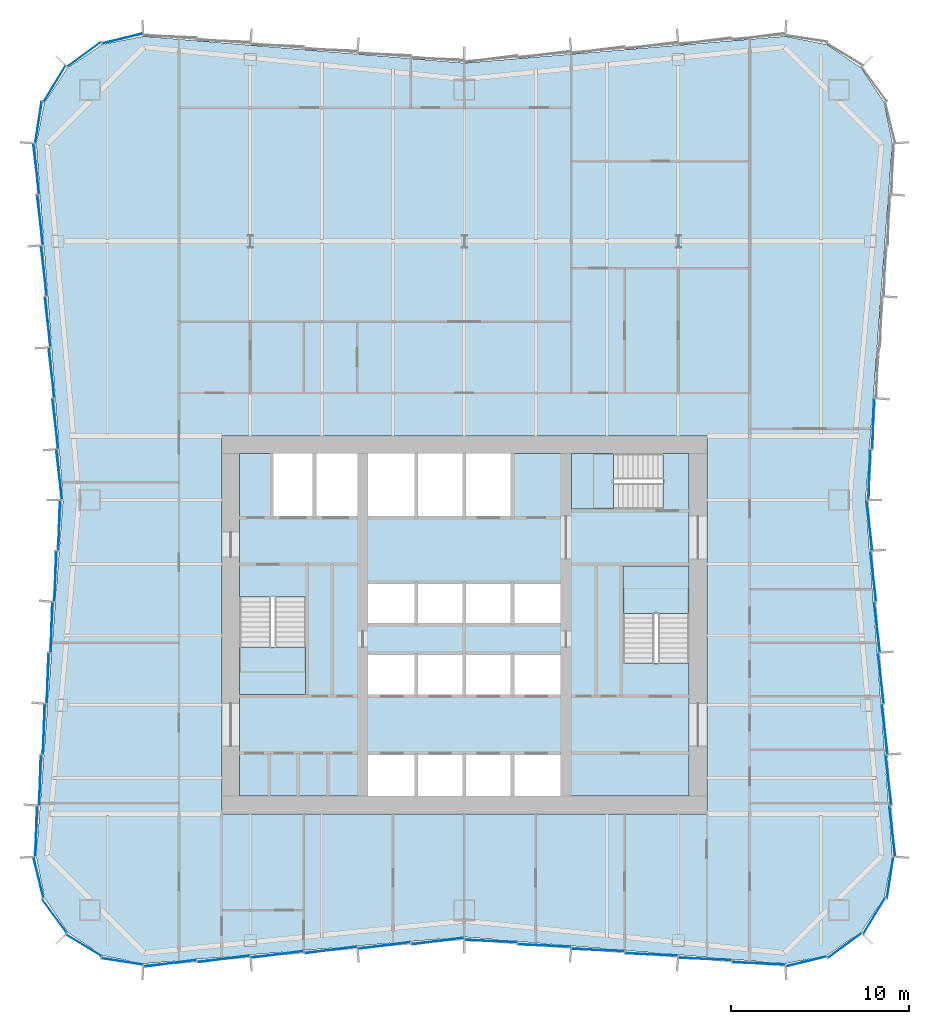
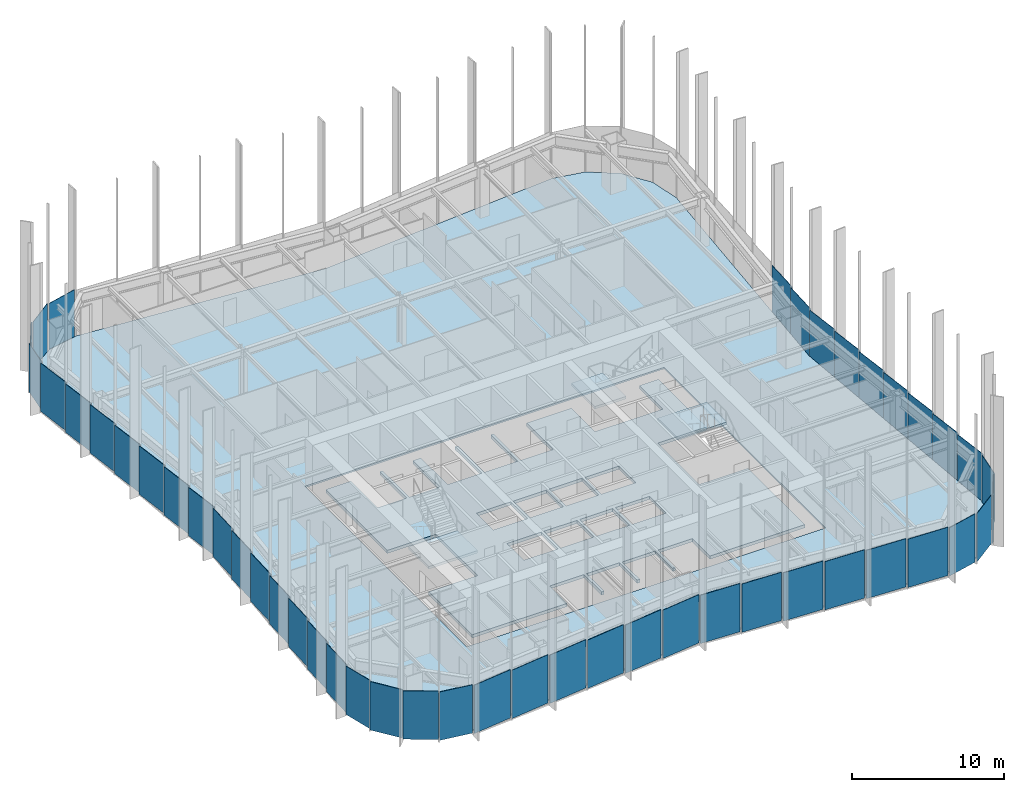
# One storey, part 8 of 14: 47 plates, 5 slabs, 9 elements without a shape of their own.
"""IFC4 building model written with IfcOpenShell, lengths in metres."""

from ifc_helpers import new_model, si_unit, direction, frame, origin, origin_2d, place, context, subcontext, project, spatial, polyline, rectangle, outline, extrude, material, layer, layer_set, type_object, element, aggregate, save


model = new_model("IFC4")

# Units and contexts
model_context = context("Model", 3, precision=1e-05, world=origin(), true_north=direction((0.0, 1.0)))
body_context = subcontext(model_context, "Body", "Model", "MODEL_VIEW")
ifc_project = project(units=[si_unit("LENGTHUNIT", "METRE"), si_unit("AREAUNIT", "SQUARE_METRE"), si_unit("VOLUMEUNIT", "CUBIC_METRE"), si_unit("PLANEANGLEUNIT", "RADIAN"), si_unit("MASSUNIT", "GRAM", prefix="KILO")], contexts=[model_context])

# Site, building, storey
site_placement = place(None, origin())
site = spatial("IfcSite", under=ifc_project, at=site_placement, CompositionType="ELEMENT")
building_placement = place(site_placement, origin())
building = spatial("IfcBuilding", under=site, at=building_placement, Name="Verdant Reach Tower", CompositionType="ELEMENT")
storey_placement = place(building_placement, frame((0.0, 0.0, 150.0)))
storey = spatial("IfcBuildingStorey", under=building, at=storey_placement, Name="L34", CompositionType="ELEMENT", Elevation=150.0)

# Stair, slab
ifc_material_1 = material(Name="Concrete C40/50", Category="concrete")
stair_type = type_object("IfcStairType", Name="CO-STAIR", PredefinedType="HALF_TURN_STAIR", material=ifc_material_1)
stair_1_placement = place(storey_placement, origin())
stair_1 = element("IfcStair", 1, at=stair_1_placement, inside=storey, type_object=stair_type, Name="L34 Exit stair 1", PredefinedType="HALF_TURN_STAIR")
ifc_layer_1 = layer(ifc_material_1, 0.199951171875)
ifc_layer_set_1 = layer_set([ifc_layer_1], Name="CO-STAIR-LANDING")
slab_type_1 = type_object("IfcSlabType", Name="CO-STAIR-LANDING", PredefinedType="LANDING", material=ifc_layer_set_1)
slab_1_placement = place(storey_placement, frame((0.0, 0.0, 1.800048828125)))
slab_1 = element("IfcSlab", 2, at=slab_1_placement, type_object=slab_type_1, Name="ST-1 landing 1", PredefinedType="LANDING", context=body_context, shape_type="SweptSolid", body=[
    extrude(outline(polyline([(-12.60009765625, 26.75), (-12.60009765625, 24.10009765625), (-8.89990234375, 24.10009765625), (-8.89990234375, 26.75), (-12.60009765625, 26.75)])), origin(), (0.0, 0.0, 1.0), 0.199951171875),
])
aggregate(stair_1, [slab_1])

stair_2_placement = place(storey_placement, origin())
stair_2 = element("IfcStair", 3, at=stair_2_placement, inside=storey, type_object=stair_type, Name="L34 Exit stair 2", PredefinedType="HALF_TURN_STAIR")
slab_2_placement = place(storey_placement, frame((0.0, 0.0, 1.800048828125)))
slab_2 = element("IfcSlab", 4, at=slab_2_placement, type_object=slab_type_1, Name="ST-2 landing 1", PredefinedType="LANDING", context=body_context, shape_type="SweptSolid", body=[
    extrude(outline(polyline([(12.60009765625, 28.64990234375), (12.60009765625, 31.300048828125), (8.89990234375, 31.300048828125), (8.89990234375, 28.64990234375), (12.60009765625, 28.64990234375)])), origin(), (0.0, 0.0, 1.0), 0.199951171875),
])
aggregate(stair_2, [slab_2])

stair_3_placement = place(storey_placement, origin())
stair_3 = element("IfcStair", 5, at=stair_3_placement, inside=storey, type_object=stair_type, Name="L34 Exit stair 3", PredefinedType="HALF_TURN_STAIR")
slab_3_placement = place(storey_placement, frame((0.0, 0.0, 1.800048828125)))
slab_3 = element("IfcSlab", 6, at=slab_3_placement, type_object=slab_type_1, Name="ST-3 landing 1", PredefinedType="LANDING", context=body_context, shape_type="SweptSolid", body=[
    extrude(outline(polyline([(8.35009765625, 37.60009765625), (6.0, 37.60009765625), (6.0, 34.5), (8.35009765625, 34.5), (8.35009765625, 37.60009765625)])), origin(), (0.0, 0.0, 1.0), 0.199951171875),
])
aggregate(stair_3, [slab_3])

# Curtain wall, plates
ifc_material_2 = material(Name="Anodised aluminium", Category="aluminium")
curtain_wall_type = type_object("IfcCurtainWallType", Name="EN-CW SYSTEM Z2", PredefinedType="NOTDEFINED", material=ifc_material_2)
curtain_wall_1_placement = place(storey_placement, origin())
curtain_wall_1 = element("IfcCurtainWall", 7, at=curtain_wall_1_placement, inside=storey, type_object=curtain_wall_type, Name="Curtain wall south-east corner, L34", PredefinedType="NOTDEFINED")
ifc_material_3 = material(Name="Tinted glass with champagne spandrel", Category="glass")
ifc_layer_2 = layer(ifc_material_3, 0.031982421875)
ifc_layer_set_2 = layer_set([ifc_layer_2], Name="EN-PANEL CHAMPAGNE")
plate_type_1 = type_object("IfcPlateType", Name="EN-PANEL CHAMPAGNE", PredefinedType="CURTAIN_PANEL", material=ifc_layer_set_2)
plate_1_placement = place(storey_placement, frame((22.9794921875, 11.6728515625, -0.22607421875), z_axis=(0.0, 0.0, 1.0), x_axis=(0.520291561353, 0.853988694998, 0.0)))
plate_1 = element("IfcPlate", 8, at=plate_1_placement, type_object=plate_type_1, Name="Glass panel south-east corner 3.1, L34", PredefinedType="CURTAIN_PANEL", context=body_context, shape_type="SweptSolid", body=[
    extrude(rectangle(XDim=2.322509765625, YDim=0.031982421875, at=origin_2d()), origin(), (0.0, 0.0, 1.0), 3.8759765625),
])
plate_2_placement = place(storey_placement, frame((23.87353515625, 13.828369140625, -0.22607421875), z_axis=(0.0, 0.0, 1.0), x_axis=(0.154281290631, 0.988026964896, 0.0)))
plate_2 = element("IfcPlate", 9, at=plate_2_placement, type_object=plate_type_1, Name="Glass panel south-east corner 4.1, L34", PredefinedType="CURTAIN_PANEL", context=body_context, shape_type="SweptSolid", body=[
    extrude(rectangle(XDim=2.316162109375, YDim=0.031982421875, at=origin_2d()), origin(), (0.0, 0.0, 1.0), 3.8759765625),
])

curtain_wall_2_placement = place(storey_placement, origin())
curtain_wall_2 = element("IfcCurtainWall", 10, at=curtain_wall_2_placement, inside=storey, type_object=curtain_wall_type, Name="Curtain wall east, L34", PredefinedType="NOTDEFINED")
plate_3_placement = place(storey_placement, frame((23.99853515625, 16.42919921875, -0.22607421875), z_axis=(0.0, 0.0, 1.0), x_axis=(-0.116147092358, 0.993232023717, 0.0)))
plate_3 = element("IfcPlate", 11, at=plate_3_placement, type_object=plate_type_1, Name="Glass panel east face part 1 1.1, L34", PredefinedType="CURTAIN_PANEL", context=body_context, shape_type="SweptSolid", body=[
    extrude(rectangle(XDim=2.819580078125, YDim=0.031982421875, at=origin_2d()), origin(), (0.0, 0.0, 1.0), 3.8759765625),
])
plate_4_placement = place(storey_placement, frame((23.7841796875, 19.293701171875, -0.22607421875), z_axis=(0.0, 0.0, 1.0), x_axis=(-0.116482717753, 0.993192718693, 0.0)))
plate_4 = element("IfcPlate", 12, at=plate_4_placement, type_object=plate_type_1, Name="Glass panel east face part 1 2.1, L34", PredefinedType="CURTAIN_PANEL", context=body_context, shape_type="SweptSolid", body=[
    extrude(rectangle(XDim=2.80517578125, YDim=0.031982421875, at=origin_2d()), origin(), (0.0, 0.0, 1.0), 3.8759765625),
])
plate_5_placement = place(storey_placement, frame((23.570068359375, 22.15087890625, -0.22607421875), z_axis=(0.0, 0.0, 1.0), x_axis=(-0.116482717753, 0.993192718693, 0.0)))
plate_5 = element("IfcPlate", 13, at=plate_5_placement, type_object=plate_type_1, Name="Glass panel east face part 1 3.1, L34", PredefinedType="CURTAIN_PANEL", context=body_context, shape_type="SweptSolid", body=[
    extrude(rectangle(XDim=2.80517578125, YDim=0.031982421875, at=origin_2d()), origin(), (0.0, 0.0, 1.0), 3.8759765625),
])

# Curtain wall, plate
curtain_wall_3_placement = place(storey_placement, origin())
curtain_wall_3 = element("IfcCurtainWall", 14, at=curtain_wall_3_placement, inside=storey, type_object=curtain_wall_type, Name="Curtain wall north-west corner, L34", PredefinedType="NOTDEFINED")
plate_6_placement = place(storey_placement, frame((-19.17138671875, 60.87353515625, -0.22607421875), z_axis=(0.0, 0.0, 1.0), x_axis=(-0.971657900775, -0.236391463174, 0.0)))
plate_6 = element("IfcPlate", 15, at=plate_6_placement, type_object=plate_type_1, Name="Glass panel north-west corner 1.1, L34", PredefinedType="CURTAIN_PANEL", context=body_context, shape_type="SweptSolid", body=[
    extrude(rectangle(XDim=2.31640625, YDim=0.031982421875, at=origin_2d()), origin(), (0.0, 0.0, 1.0), 3.8759765625),
])

# Curtain wall, plates
curtain_wall_4_placement = place(storey_placement, origin())
curtain_wall_4 = element("IfcCurtainWall", 16, at=curtain_wall_4_placement, inside=storey, type_object=curtain_wall_type, Name="Curtain wall west, L34", PredefinedType="NOTDEFINED")
plate_7_placement = place(storey_placement, frame((-23.141357421875, 42.135009765625, -0.22607421875), z_axis=(0.0, 0.0, 1.0), x_axis=(0.116482717753, -0.993192718693, 0.0)))
plate_7 = element("IfcPlate", 17, at=plate_7_placement, type_object=plate_type_1, Name="Glass panel west face part 1 5.1, L34", PredefinedType="CURTAIN_PANEL", context=body_context, shape_type="SweptSolid", body=[
    extrude(rectangle(XDim=2.80517578125, YDim=0.031982421875, at=origin_2d()), origin(), (0.0, 0.0, 1.0), 3.8759765625),
])
plate_8_placement = place(storey_placement, frame((-22.92724609375, 39.27783203125, -0.22607421875), z_axis=(0.0, 0.0, 1.0), x_axis=(0.116482717753, -0.993192718693, 0.0)))
plate_8 = element("IfcPlate", 18, at=plate_8_placement, type_object=plate_type_1, Name="Glass panel west face part 1 6.1, L34", PredefinedType="CURTAIN_PANEL", context=body_context, shape_type="SweptSolid", body=[
    extrude(rectangle(XDim=2.80517578125, YDim=0.031982421875, at=origin_2d()), origin(), (0.0, 0.0, 1.0), 3.8759765625),
])
plate_9_placement = place(storey_placement, frame((-22.712890625, 36.424560546875, -0.22607421875), z_axis=(0.0, 0.0, 1.0), x_axis=(0.116585911919, -0.993180610535, 0.0)))
plate_9 = element("IfcPlate", 19, at=plate_9_placement, type_object=plate_type_1, Name="Glass panel west face part 1 7.1, L34", PredefinedType="CURTAIN_PANEL", context=body_context, shape_type="SweptSolid", body=[
    extrude(rectangle(XDim=2.797119140625, YDim=0.031982421875, at=origin_2d()), origin(), (0.0, 0.0, 1.0), 3.8759765625),
])
plate_10_placement = place(storey_placement, frame((-22.712890625, 33.575439453125, -0.22607421875), z_axis=(0.0, 0.0, 1.0), x_axis=(-0.033069817188, -0.999453044015, 0.0)))
plate_10 = element("IfcPlate", 20, at=plate_10_placement, type_object=plate_type_1, Name="Glass panel west face part 2 1.1, L34", PredefinedType="CURTAIN_PANEL", context=body_context, shape_type="SweptSolid", body=[
    extrude(rectangle(XDim=2.797119140625, YDim=0.031982421875, at=origin_2d()), origin(), (0.0, 0.0, 1.0), 3.8759765625),
])
plate_11_placement = place(storey_placement, frame((-23.99853515625, 16.42919921875, -0.22607421875), z_axis=(0.0, 0.0, 1.0), x_axis=(-0.032628234484, -0.99946755741, 0.0)))
plate_11 = element("IfcPlate", 21, at=plate_11_placement, type_object=plate_type_1, Name="Glass panel west face part 2 7.1, L34", PredefinedType="CURTAIN_PANEL", context=body_context, shape_type="SweptSolid", body=[
    extrude(rectangle(XDim=2.819580078125, YDim=0.031982421875, at=origin_2d()), origin(), (0.0, 0.0, 1.0), 3.8759765625),
])

curtain_wall_5_placement = place(storey_placement, origin())
curtain_wall_5 = element("IfcCurtainWall", 22, at=curtain_wall_5_placement, inside=storey, type_object=curtain_wall_type, Name="Curtain wall south, L34", PredefinedType="NOTDEFINED")
plate_12_placement = place(storey_placement, frame((-10.4912109375, 9.519287109375, -0.22607421875), z_axis=(0.0, 0.0, 1.0), x_axis=(0.992194034542, 0.124703639961, 0.0)))
plate_12 = element("IfcPlate", 23, at=plate_12_placement, type_object=plate_type_1, Name="Glass panel south face part 1 3.1, L34", PredefinedType="CURTAIN_PANEL", context=body_context, shape_type="SweptSolid", body=[
    extrude(rectangle(XDim=2.950439453125, YDim=0.031982421875, at=origin_2d()), origin(), (0.0, 0.0, 1.0), 3.8759765625),
])
plate_13_placement = place(storey_placement, frame((-7.4912109375, 9.769287109375, -0.22607421875), z_axis=(0.0, 0.0, 1.0), x_axis=(0.992194034542, 0.124703639961, 0.0)))
plate_13 = element("IfcPlate", 24, at=plate_13_placement, type_object=plate_type_1, Name="Glass panel south face part 1 4.1, L34", PredefinedType="CURTAIN_PANEL", context=body_context, shape_type="SweptSolid", body=[
    extrude(rectangle(XDim=2.950439453125, YDim=0.031982421875, at=origin_2d()), origin(), (0.0, 0.0, 1.0), 3.8759765625),
])
plate_14_placement = place(storey_placement, frame((10.4912109375, 9.519287109375, -0.22607421875), z_axis=(0.0, 0.0, 1.0), x_axis=(0.999149202059, -0.041241629766, 0.0)))
plate_14 = element("IfcPlate", 25, at=plate_14_placement, type_object=plate_type_1, Name="Glass panel south face part 2 4.1, L34", PredefinedType="CURTAIN_PANEL", context=body_context, shape_type="SweptSolid", body=[
    extrude(rectangle(XDim=2.950439453125, YDim=0.031982421875, at=origin_2d()), origin(), (0.0, 0.0, 1.0), 3.8759765625),
])
plate_15_placement = place(storey_placement, frame((13.4912109375, 9.269287109375, -0.22607421875), z_axis=(0.0, 0.0, 1.0), x_axis=(0.999149202059, -0.041241629766, 0.0)))
plate_15 = element("IfcPlate", 26, at=plate_15_placement, type_object=plate_type_1, Name="Glass panel south face part 2 5.1, L34", PredefinedType="CURTAIN_PANEL", context=body_context, shape_type="SweptSolid", body=[
    extrude(rectangle(XDim=2.950439453125, YDim=0.031982421875, at=origin_2d()), origin(), (0.0, 0.0, 1.0), 3.8759765625),
])
plate_16_placement = place(storey_placement, frame((16.49853515625, 9.019287109375, -0.22607421875), z_axis=(0.0, 0.0, 1.0), x_axis=(0.999163230224, -0.040900359019, 0.0)))
plate_16 = element("IfcPlate", 27, at=plate_16_placement, type_object=plate_type_1, Name="Glass panel south face part 2 6.1, L34", PredefinedType="CURTAIN_PANEL", context=body_context, shape_type="SweptSolid", body=[
    extrude(rectangle(XDim=2.965087890625, YDim=0.031982421875, at=origin_2d()), origin(), (0.0, 0.0, 1.0), 3.8759765625),
])

# Plate
ifc_material_4 = material(Name="Tinted glass with copper spandrel", Category="glass")
ifc_layer_3 = layer(ifc_material_4, 0.031982421875)
ifc_layer_set_3 = layer_set([ifc_layer_3], Name="EN-PANEL COPPER")
plate_type_2 = type_object("IfcPlateType", Name="EN-PANEL COPPER", PredefinedType="CURTAIN_PANEL", material=ifc_layer_set_3)
plate_17_placement = place(storey_placement, frame((23.355712890625, 25.0078125, -0.22607421875), z_axis=(0.0, 0.0, 1.0), x_axis=(-0.116482717753, 0.993192718693, 0.0)))
plate_17 = element("IfcPlate", 28, at=plate_17_placement, type_object=plate_type_2, Name="Glass panel east face part 1 4.1, L34", PredefinedType="CURTAIN_PANEL", context=body_context, shape_type="SweptSolid", body=[
    extrude(rectangle(XDim=2.80517578125, YDim=0.031982421875, at=origin_2d()), origin(), (0.0, 0.0, 1.0), 3.8759765625),
])

plate_18_placement = place(storey_placement, frame((23.141357421875, 27.864990234375, -0.22607421875), z_axis=(0.0, 0.0, 1.0), x_axis=(-0.116482717753, 0.993192718693, 0.0)))
plate_18 = element("IfcPlate", 29, at=plate_18_placement, type_object=plate_type_2, Name="Glass panel east face part 1 5.1, L34", PredefinedType="CURTAIN_PANEL", context=body_context, shape_type="SweptSolid", body=[
    extrude(rectangle(XDim=2.80517578125, YDim=0.031982421875, at=origin_2d()), origin(), (0.0, 0.0, 1.0), 3.8759765625),
])

plate_19_placement = place(storey_placement, frame((-21.3271484375, 59.9794921875, -0.22607421875), z_axis=(0.0, 0.0, 1.0), x_axis=(-0.807456760688, -0.589926757843, 0.0)))
plate_19 = element("IfcPlate", 30, at=plate_19_placement, type_object=plate_type_2, Name="Glass panel north-west corner 2.1, L34", PredefinedType="CURTAIN_PANEL", context=body_context, shape_type="SweptSolid", body=[
    extrude(rectangle(XDim=2.322509765625, YDim=0.031982421875, at=origin_2d()), origin(), (0.0, 0.0, 1.0), 3.8759765625),
])

plate_20_placement = place(storey_placement, frame((-22.9794921875, 58.3271484375, -0.22607421875), z_axis=(0.0, 0.0, 1.0), x_axis=(-0.520291561353, -0.853988694998, 0.0)))
plate_20 = element("IfcPlate", 31, at=plate_20_placement, type_object=plate_type_2, Name="Glass panel north-west corner 3.1, L34", PredefinedType="CURTAIN_PANEL", context=body_context, shape_type="SweptSolid", body=[
    extrude(rectangle(XDim=2.322509765625, YDim=0.031982421875, at=origin_2d()), origin(), (0.0, 0.0, 1.0), 3.8759765625),
])

plate_21_placement = place(storey_placement, frame((-23.99853515625, 53.57080078125, -0.22607421875), z_axis=(0.0, 0.0, 1.0), x_axis=(0.116147092358, -0.993232023717, 0.0)))
plate_21 = element("IfcPlate", 32, at=plate_21_placement, type_object=plate_type_2, Name="Glass panel west face part 1 1.1, L34", PredefinedType="CURTAIN_PANEL", context=body_context, shape_type="SweptSolid", body=[
    extrude(rectangle(XDim=2.819580078125, YDim=0.031982421875, at=origin_2d()), origin(), (0.0, 0.0, 1.0), 3.8759765625),
])

plate_22_placement = place(storey_placement, frame((-23.7841796875, 50.706298828125, -0.22607421875), z_axis=(0.0, 0.0, 1.0), x_axis=(0.116482717753, -0.993192718693, 0.0)))
plate_22 = element("IfcPlate", 33, at=plate_22_placement, type_object=plate_type_2, Name="Glass panel west face part 1 2.1, L34", PredefinedType="CURTAIN_PANEL", context=body_context, shape_type="SweptSolid", body=[
    extrude(rectangle(XDim=2.80517578125, YDim=0.031982421875, at=origin_2d()), origin(), (0.0, 0.0, 1.0), 3.8759765625),
])

plate_23_placement = place(storey_placement, frame((-22.92724609375, 30.72216796875, -0.22607421875), z_axis=(0.0, 0.0, 1.0), x_axis=(-0.032965971753, -0.999456474643, 0.0)))
plate_23 = element("IfcPlate", 34, at=plate_23_placement, type_object=plate_type_2, Name="Glass panel west face part 2 2.1, L34", PredefinedType="CURTAIN_PANEL", context=body_context, shape_type="SweptSolid", body=[
    extrude(rectangle(XDim=2.80517578125, YDim=0.031982421875, at=origin_2d()), origin(), (0.0, 0.0, 1.0), 3.8759765625),
])

plate_24_placement = place(storey_placement, frame((-23.141357421875, 27.864990234375, -0.22607421875), z_axis=(0.0, 0.0, 1.0), x_axis=(-0.032965971753, -0.999456474643, 0.0)))
plate_24 = element("IfcPlate", 35, at=plate_24_placement, type_object=plate_type_2, Name="Glass panel west face part 2 3.1, L34", PredefinedType="CURTAIN_PANEL", context=body_context, shape_type="SweptSolid", body=[
    extrude(rectangle(XDim=2.80517578125, YDim=0.031982421875, at=origin_2d()), origin(), (0.0, 0.0, 1.0), 3.8759765625),
])

# Curtain wall, plates
curtain_wall_6_placement = place(storey_placement, origin())
curtain_wall_6 = element("IfcCurtainWall", 36, at=curtain_wall_6_placement, inside=storey, type_object=curtain_wall_type, Name="Curtain wall south-west corner, L34", PredefinedType="NOTDEFINED")
plate_25_placement = place(storey_placement, frame((-23.87353515625, 13.828369140625, -0.22607421875), z_axis=(0.0, 0.0, 1.0), x_axis=(0.236416170006, -0.971651889598, 0.0)))
plate_25 = element("IfcPlate", 37, at=plate_25_placement, type_object=plate_type_2, Name="Glass panel south-west corner 1.1, L34", PredefinedType="CURTAIN_PANEL", context=body_context, shape_type="SweptSolid", body=[
    extrude(rectangle(XDim=2.316162109375, YDim=0.031982421875, at=origin_2d()), origin(), (0.0, 0.0, 1.0), 3.8759765625),
])
plate_26_placement = place(storey_placement, frame((-22.9794921875, 11.6728515625, -0.22607421875), z_axis=(0.0, 0.0, 1.0), x_axis=(0.589926757843, -0.807456760688, 0.0)))
plate_26 = element("IfcPlate", 38, at=plate_26_placement, type_object=plate_type_2, Name="Glass panel south-west corner 2.1, L34", PredefinedType="CURTAIN_PANEL", context=body_context, shape_type="SweptSolid", body=[
    extrude(rectangle(XDim=2.322509765625, YDim=0.031982421875, at=origin_2d()), origin(), (0.0, 0.0, 1.0), 3.8759765625),
])

# Plate
plate_27_placement = place(storey_placement, frame((-4.4912109375, 10.019287109375, -0.22607421875), z_axis=(0.0, 0.0, 1.0), x_axis=(0.992194034542, 0.124703639961, 0.0)))
plate_27 = element("IfcPlate", 39, at=plate_27_placement, type_object=plate_type_2, Name="Glass panel south face part 1 5.1, L34", PredefinedType="CURTAIN_PANEL", context=body_context, shape_type="SweptSolid", body=[
    extrude(rectangle(XDim=2.950439453125, YDim=0.031982421875, at=origin_2d()), origin(), (0.0, 0.0, 1.0), 3.8759765625),
])

plate_28_placement = place(storey_placement, frame((-1.49560546875, 10.269287109375, -0.22607421875), z_axis=(0.0, 0.0, 1.0), x_axis=(0.992178815188, 0.12482467181, 0.0)))
plate_28 = element("IfcPlate", 40, at=plate_28_placement, type_object=plate_type_2, Name="Glass panel south face part 1 6.1, L34", PredefinedType="CURTAIN_PANEL", context=body_context, shape_type="SweptSolid", body=[
    extrude(rectangle(XDim=2.941650390625, YDim=0.031982421875, at=origin_2d()), origin(), (0.0, 0.0, 1.0), 3.8759765625),
])

plate_29_placement = place(storey_placement, frame((1.49560546875, 10.269287109375, -0.22607421875), z_axis=(0.0, 0.0, 1.0), x_axis=(0.999144163765, -0.041363510662, 0.0)))
plate_29 = element("IfcPlate", 41, at=plate_29_placement, type_object=plate_type_2, Name="Glass panel south face part 2 1.1, L34", PredefinedType="CURTAIN_PANEL", context=body_context, shape_type="SweptSolid", body=[
    extrude(rectangle(XDim=2.941650390625, YDim=0.031982421875, at=origin_2d()), origin(), (0.0, 0.0, 1.0), 3.8759765625),
])

ifc_material_5 = material(Name="Tinted glass with dark bronze spandrel", Category="glass")
ifc_layer_4 = layer(ifc_material_5, 0.031982421875)
ifc_layer_set_4 = layer_set([ifc_layer_4], Name="EN-PANEL DARK")
plate_type_3 = type_object("IfcPlateType", Name="EN-PANEL DARK", PredefinedType="CURTAIN_PANEL", material=ifc_layer_set_4)
plate_30_placement = place(storey_placement, frame((19.17138671875, 9.12646484375, -0.22607421875), z_axis=(0.0, 0.0, 1.0), x_axis=(0.971657900775, 0.236391463174, 0.0)))
plate_30 = element("IfcPlate", 42, at=plate_30_placement, type_object=plate_type_3, Name="Glass panel south-east corner 1.1, L34", PredefinedType="CURTAIN_PANEL", context=body_context, shape_type="SweptSolid", body=[
    extrude(rectangle(XDim=2.31640625, YDim=0.031982421875, at=origin_2d()), origin(), (0.0, 0.0, 1.0), 3.8759765625),
])

plate_31_placement = place(storey_placement, frame((21.3271484375, 10.0205078125, -0.22607421875), z_axis=(0.0, 0.0, 1.0), x_axis=(0.807456760688, 0.589926757843, 0.0)))
plate_31 = element("IfcPlate", 43, at=plate_31_placement, type_object=plate_type_3, Name="Glass panel south-east corner 2.1, L34", PredefinedType="CURTAIN_PANEL", context=body_context, shape_type="SweptSolid", body=[
    extrude(rectangle(XDim=2.322509765625, YDim=0.031982421875, at=origin_2d()), origin(), (0.0, 0.0, 1.0), 3.8759765625),
])

aggregate(curtain_wall_1, [plate_30, plate_31, plate_1, plate_2])

plate_32_placement = place(storey_placement, frame((22.92724609375, 30.72216796875, -0.22607421875), z_axis=(0.0, 0.0, 1.0), x_axis=(-0.116482717753, 0.993192718693, 0.0)))
plate_32 = element("IfcPlate", 44, at=plate_32_placement, type_object=plate_type_3, Name="Glass panel east face part 1 6.1, L34", PredefinedType="CURTAIN_PANEL", context=body_context, shape_type="SweptSolid", body=[
    extrude(rectangle(XDim=2.80517578125, YDim=0.031982421875, at=origin_2d()), origin(), (0.0, 0.0, 1.0), 3.8759765625),
])

plate_33_placement = place(storey_placement, frame((22.712890625, 33.575439453125, -0.22607421875), z_axis=(0.0, 0.0, 1.0), x_axis=(-0.116585911919, 0.993180610535, 0.0)))
plate_33 = element("IfcPlate", 45, at=plate_33_placement, type_object=plate_type_3, Name="Glass panel east face part 1 7.1, L34", PredefinedType="CURTAIN_PANEL", context=body_context, shape_type="SweptSolid", body=[
    extrude(rectangle(XDim=2.797119140625, YDim=0.031982421875, at=origin_2d()), origin(), (0.0, 0.0, 1.0), 3.8759765625),
])

plate_34_placement = place(storey_placement, frame((22.712890625, 36.424560546875, -0.22607421875), z_axis=(0.0, 0.0, 1.0), x_axis=(0.033069817188, 0.999453044015, 0.0)))
plate_34 = element("IfcPlate", 46, at=plate_34_placement, type_object=plate_type_3, Name="Glass panel east face part 2 1.1, L34", PredefinedType="CURTAIN_PANEL", context=body_context, shape_type="SweptSolid", body=[
    extrude(rectangle(XDim=2.797119140625, YDim=0.031982421875, at=origin_2d()), origin(), (0.0, 0.0, 1.0), 3.8759765625),
])

plate_35_placement = place(storey_placement, frame((22.92724609375, 39.27783203125, -0.22607421875), z_axis=(0.0, 0.0, 1.0), x_axis=(0.032965971753, 0.999456474643, 0.0)))
plate_35 = element("IfcPlate", 47, at=plate_35_placement, type_object=plate_type_3, Name="Glass panel east face part 2 2.1, L34", PredefinedType="CURTAIN_PANEL", context=body_context, shape_type="SweptSolid", body=[
    extrude(rectangle(XDim=2.80517578125, YDim=0.031982421875, at=origin_2d()), origin(), (0.0, 0.0, 1.0), 3.8759765625),
])

aggregate(curtain_wall_2, [plate_3, plate_4, plate_5, plate_17, plate_18, plate_32, plate_33, plate_34, plate_35])

plate_36_placement = place(storey_placement, frame((-23.87353515625, 56.171630859375, -0.22607421875), z_axis=(0.0, 0.0, 1.0), x_axis=(-0.154281290631, -0.988026964896, 0.0)))
plate_36 = element("IfcPlate", 48, at=plate_36_placement, type_object=plate_type_3, Name="Glass panel north-west corner 4.1, L34", PredefinedType="CURTAIN_PANEL", context=body_context, shape_type="SweptSolid", body=[
    extrude(rectangle(XDim=2.316162109375, YDim=0.031982421875, at=origin_2d()), origin(), (0.0, 0.0, 1.0), 3.8759765625),
])

aggregate(curtain_wall_3, [plate_6, plate_19, plate_20, plate_36])

plate_37_placement = place(storey_placement, frame((-23.570068359375, 47.84912109375, -0.22607421875), z_axis=(0.0, 0.0, 1.0), x_axis=(0.116482717753, -0.993192718693, 0.0)))
plate_37 = element("IfcPlate", 49, at=plate_37_placement, type_object=plate_type_3, Name="Glass panel west face part 1 3.1, L34", PredefinedType="CURTAIN_PANEL", context=body_context, shape_type="SweptSolid", body=[
    extrude(rectangle(XDim=2.80517578125, YDim=0.031982421875, at=origin_2d()), origin(), (0.0, 0.0, 1.0), 3.8759765625),
])

plate_38_placement = place(storey_placement, frame((-23.355712890625, 44.9921875, -0.22607421875), z_axis=(0.0, 0.0, 1.0), x_axis=(0.116482717753, -0.993192718693, 0.0)))
plate_38 = element("IfcPlate", 50, at=plate_38_placement, type_object=plate_type_3, Name="Glass panel west face part 1 4.1, L34", PredefinedType="CURTAIN_PANEL", context=body_context, shape_type="SweptSolid", body=[
    extrude(rectangle(XDim=2.80517578125, YDim=0.031982421875, at=origin_2d()), origin(), (0.0, 0.0, 1.0), 3.8759765625),
])

plate_39_placement = place(storey_placement, frame((-23.355712890625, 25.0078125, -0.22607421875), z_axis=(0.0, 0.0, 1.0), x_axis=(-0.032965971753, -0.999456474643, 0.0)))
plate_39 = element("IfcPlate", 51, at=plate_39_placement, type_object=plate_type_3, Name="Glass panel west face part 2 4.1, L34", PredefinedType="CURTAIN_PANEL", context=body_context, shape_type="SweptSolid", body=[
    extrude(rectangle(XDim=2.80517578125, YDim=0.031982421875, at=origin_2d()), origin(), (0.0, 0.0, 1.0), 3.8759765625),
])

plate_40_placement = place(storey_placement, frame((-23.570068359375, 22.15087890625, -0.22607421875), z_axis=(0.0, 0.0, 1.0), x_axis=(-0.032965971753, -0.999456474643, 0.0)))
plate_40 = element("IfcPlate", 52, at=plate_40_placement, type_object=plate_type_3, Name="Glass panel west face part 2 5.1, L34", PredefinedType="CURTAIN_PANEL", context=body_context, shape_type="SweptSolid", body=[
    extrude(rectangle(XDim=2.80517578125, YDim=0.031982421875, at=origin_2d()), origin(), (0.0, 0.0, 1.0), 3.8759765625),
])

plate_41_placement = place(storey_placement, frame((-23.7841796875, 19.293701171875, -0.22607421875), z_axis=(0.0, 0.0, 1.0), x_axis=(-0.032965971753, -0.999456474643, 0.0)))
plate_41 = element("IfcPlate", 53, at=plate_41_placement, type_object=plate_type_3, Name="Glass panel west face part 2 6.1, L34", PredefinedType="CURTAIN_PANEL", context=body_context, shape_type="SweptSolid", body=[
    extrude(rectangle(XDim=2.80517578125, YDim=0.031982421875, at=origin_2d()), origin(), (0.0, 0.0, 1.0), 3.8759765625),
])

aggregate(curtain_wall_4, [plate_21, plate_22, plate_37, plate_38, plate_7, plate_8, plate_9, plate_10, plate_23, plate_24, plate_39, plate_40, plate_41, plate_11])

plate_42_placement = place(storey_placement, frame((-21.3271484375, 10.0205078125, -0.22607421875), z_axis=(0.0, 0.0, 1.0), x_axis=(0.853988694998, -0.520291561353, 0.0)))
plate_42 = element("IfcPlate", 54, at=plate_42_placement, type_object=plate_type_3, Name="Glass panel south-west corner 3.1, L34", PredefinedType="CURTAIN_PANEL", context=body_context, shape_type="SweptSolid", body=[
    extrude(rectangle(XDim=2.322509765625, YDim=0.031982421875, at=origin_2d()), origin(), (0.0, 0.0, 1.0), 3.8759765625),
])

plate_43_placement = place(storey_placement, frame((-19.17138671875, 9.12646484375, -0.22607421875), z_axis=(0.0, 0.0, 1.0), x_axis=(0.988030887576, -0.154256167447, 0.0)))
plate_43 = element("IfcPlate", 55, at=plate_43_placement, type_object=plate_type_3, Name="Glass panel south-west corner 4.1, L34", PredefinedType="CURTAIN_PANEL", context=body_context, shape_type="SweptSolid", body=[
    extrude(rectangle(XDim=2.31640625, YDim=0.031982421875, at=origin_2d()), origin(), (0.0, 0.0, 1.0), 3.8759765625),
])

aggregate(curtain_wall_6, [plate_25, plate_26, plate_42, plate_43])

plate_44_placement = place(storey_placement, frame((-16.49853515625, 9.019287109375, -0.22607421875), z_axis=(0.0, 0.0, 1.0), x_axis=(0.992236570309, 0.124364739946, 0.0)))
plate_44 = element("IfcPlate", 56, at=plate_44_placement, type_object=plate_type_3, Name="Glass panel south face part 1 1.1, L34", PredefinedType="CURTAIN_PANEL", context=body_context, shape_type="SweptSolid", body=[
    extrude(rectangle(XDim=2.965087890625, YDim=0.031982421875, at=origin_2d()), origin(), (0.0, 0.0, 1.0), 3.8759765625),
])

plate_45_placement = place(storey_placement, frame((-13.4912109375, 9.269287109375, -0.22607421875), z_axis=(0.0, 0.0, 1.0), x_axis=(0.992194034542, 0.124703639961, 0.0)))
plate_45 = element("IfcPlate", 57, at=plate_45_placement, type_object=plate_type_3, Name="Glass panel south face part 1 2.1, L34", PredefinedType="CURTAIN_PANEL", context=body_context, shape_type="SweptSolid", body=[
    extrude(rectangle(XDim=2.950439453125, YDim=0.031982421875, at=origin_2d()), origin(), (0.0, 0.0, 1.0), 3.8759765625),
])

plate_46_placement = place(storey_placement, frame((4.4912109375, 10.019287109375, -0.22607421875), z_axis=(0.0, 0.0, 1.0), x_axis=(0.999149202059, -0.041241629766, 0.0)))
plate_46 = element("IfcPlate", 58, at=plate_46_placement, type_object=plate_type_3, Name="Glass panel south face part 2 2.1, L34", PredefinedType="CURTAIN_PANEL", context=body_context, shape_type="SweptSolid", body=[
    extrude(rectangle(XDim=2.950439453125, YDim=0.031982421875, at=origin_2d()), origin(), (0.0, 0.0, 1.0), 3.8759765625),
])

plate_47_placement = place(storey_placement, frame((7.4912109375, 9.769287109375, -0.22607421875), z_axis=(0.0, 0.0, 1.0), x_axis=(0.999149202059, -0.041241629766, 0.0)))
plate_47 = element("IfcPlate", 59, at=plate_47_placement, type_object=plate_type_3, Name="Glass panel south face part 2 3.1, L34", PredefinedType="CURTAIN_PANEL", context=body_context, shape_type="SweptSolid", body=[
    extrude(rectangle(XDim=2.950439453125, YDim=0.031982421875, at=origin_2d()), origin(), (0.0, 0.0, 1.0), 3.8759765625),
])

aggregate(curtain_wall_5, [plate_44, plate_45, plate_12, plate_13, plate_27, plate_28, plate_29, plate_46, plate_47, plate_14, plate_15, plate_16])

# Slabs
ifc_material_6 = material(Name="Concrete C35/45", Category="concrete")
ifc_layer_5 = layer(ifc_material_6, 0.1298828125)
ifc_layer_set_5 = layer_set([ifc_layer_5], Name="ST-SLAB-130")
slab_type_2 = type_object("IfcSlabType", Name="ST-SLAB-130", PredefinedType="FLOOR", material=ifc_layer_set_5)
slab_4_placement = place(storey_placement, frame((0.0, 0.0, -0.1298828125)))
element("IfcSlab", 60, at=slab_4_placement, inside=storey, type_object=slab_type_2, Name="Floor slab L34", PredefinedType="FLOOR", context=body_context, shape_type="SweptSolid", body=[
    extrude(outline(polyline([(0.0, 10.5), (-18.0, 9.0), (-20.296142578125, 9.456787109375), (-22.24267578125, 10.75732421875), (-23.543212890625, 12.703857421875), (-24.0, 15.0), (-22.5, 35.0), (-24.0, 55.0), (-23.543212890625, 57.296142578125), (-22.24267578125, 59.24267578125), (-20.296142578125, 60.543212890625), (-18.0, 61.0), (0.0, 59.5), (18.0, 61.0), (20.296142578125, 60.543212890625), (22.24267578125, 59.24267578125), (23.543212890625, 57.296142578125), (24.0, 55.0), (22.5, 35.0), (24.0, 15.0), (23.543212890625, 12.703857421875), (22.24267578125, 10.75732421875), (20.296142578125, 9.456787109375), (18.0, 9.0), (0.0, 10.5)]), holes=[polyline([(13.60009765625, 38.60009765625), (-13.60009765625, 38.60009765625), (-13.60009765625, 17.39990234375), (13.60009765625, 17.39990234375), (13.60009765625, 38.60009765625)])]), origin(), (0.0, 0.0, 1.0), 0.1298828125),
])
ifc_layer_6 = layer(ifc_material_6, 0.25)
ifc_layer_set_6 = layer_set([ifc_layer_6], Name="ST-SLAB-250")
slab_type_3 = type_object("IfcSlabType", Name="ST-SLAB-250", PredefinedType="FLOOR", material=ifc_layer_set_6)
slab_5_placement = place(storey_placement, frame((0.0, 0.0, -0.25)))
element("IfcSlab", 61, at=slab_5_placement, inside=storey, type_object=slab_type_3, Name="Core floor slab L34", PredefinedType="FLOOR", context=body_context, shape_type="SweptSolid", body=[
    extrude(outline(polyline([(12.60009765625, 18.39990234375), (5.39990234375, 18.39990234375), (5.39990234375, 20.699951171875), (2.800048828125, 20.699951171875), (2.800048828125, 18.39990234375), (2.60009765625, 18.39990234375), (2.60009765625, 20.699951171875), (0.10009765625, 20.699951171875), (0.10009765625, 18.39990234375), (-0.10009765625, 18.39990234375), (-0.10009765625, 20.699951171875), (-2.60009765625, 20.699951171875), (-2.60009765625, 18.39990234375), (-2.800048828125, 18.39990234375), (-2.800048828125, 20.699951171875), (-5.39990234375, 20.699951171875), (-5.39990234375, 18.39990234375), (-12.60009765625, 18.39990234375), (-12.60009765625, 24.10009765625), (-8.89990234375, 24.10009765625), (-8.89990234375, 29.548095703125), (-12.60009765625, 29.548095703125), (-12.60009765625, 37.60009765625), (-10.699951171875, 37.60009765625), (-10.699951171875, 34.10009765625), (-8.5, 34.10009765625), (-8.5, 37.60009765625), (-8.300048828125, 37.60009765625), (-8.300048828125, 34.10009765625), (-6.0, 34.10009765625), (-6.0, 37.60009765625), (-5.39990234375, 37.60009765625), (-5.39990234375, 34.10009765625), (-2.800048828125, 34.10009765625), (-2.800048828125, 37.60009765625), (-2.60009765625, 37.60009765625), (-2.60009765625, 34.10009765625), (-0.10009765625, 34.10009765625), (-0.10009765625, 37.60009765625), (0.10009765625, 37.60009765625), (0.10009765625, 34.10009765625), (2.60009765625, 34.10009765625), (2.60009765625, 37.60009765625), (6.0, 37.60009765625), (6.0, 34.5), (11.14794921875, 34.5), (11.14794921875, 37.60009765625), (12.60009765625, 37.60009765625), (12.60009765625, 31.300048828125), (8.89990234375, 31.300048828125), (8.89990234375, 25.85205078125), (12.60009765625, 25.85205078125), (12.60009765625, 18.39990234375)]), holes=[polyline([(-2.800048828125, 24.10009765625), (-2.800048828125, 26.300048828125), (-5.39990234375, 26.300048828125), (-5.39990234375, 24.10009765625), (-2.800048828125, 24.10009765625)]), polyline([(-2.60009765625, 24.10009765625), (-0.10009765625, 24.10009765625), (-0.10009765625, 26.300048828125), (-2.60009765625, 26.300048828125), (-2.60009765625, 24.10009765625)]), polyline([(-2.800048828125, 28.10009765625), (-2.800048828125, 30.300048828125), (-5.39990234375, 30.300048828125), (-5.39990234375, 28.10009765625), (-2.800048828125, 28.10009765625)]), polyline([(-0.10009765625, 28.10009765625), (-0.10009765625, 30.300048828125), (-2.60009765625, 30.300048828125), (-2.60009765625, 28.10009765625), (-0.10009765625, 28.10009765625)]), polyline([(2.60009765625, 24.10009765625), (2.60009765625, 26.300048828125), (0.10009765625, 26.300048828125), (0.10009765625, 24.10009765625), (2.60009765625, 24.10009765625)]), polyline([(2.800048828125, 24.10009765625), (5.39990234375, 24.10009765625), (5.39990234375, 26.300048828125), (2.800048828125, 26.300048828125), (2.800048828125, 24.10009765625)]), polyline([(2.60009765625, 28.10009765625), (2.60009765625, 30.300048828125), (0.10009765625, 30.300048828125), (0.10009765625, 28.10009765625), (2.60009765625, 28.10009765625)]), polyline([(5.39990234375, 28.10009765625), (5.39990234375, 30.300048828125), (2.800048828125, 30.300048828125), (2.800048828125, 28.10009765625), (5.39990234375, 28.10009765625)])]), origin(), (0.0, 0.0, 1.0), 0.25),
])

save(model, "model.ifc")
